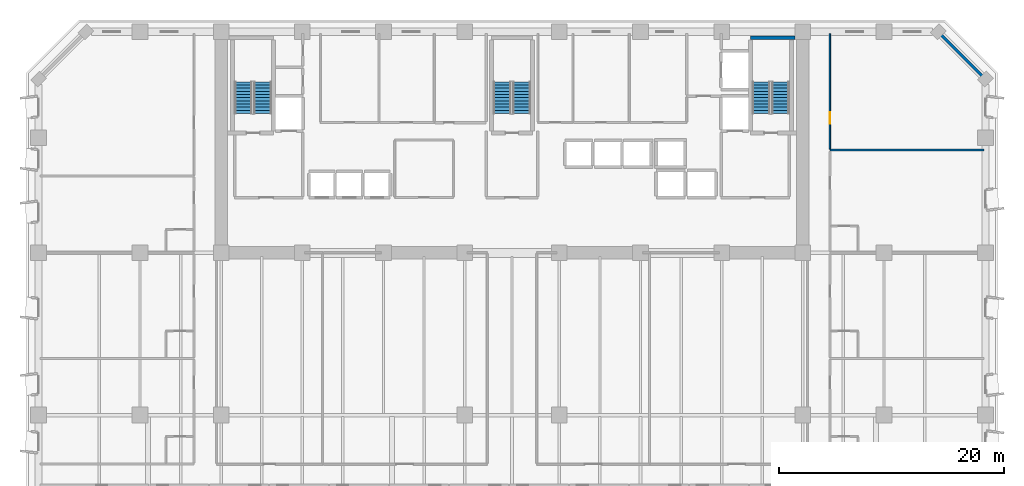
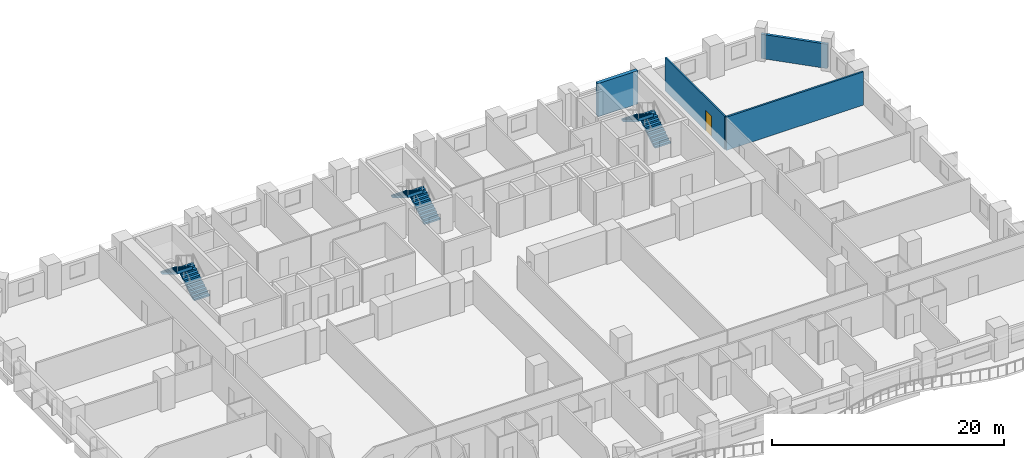
# One storey, part 12 of 16: 6 stair flights, 4 walls, 1 door, 1 opening, 3 elements without a shape of their own.
"""IFC4 building model written with IfcOpenShell, lengths in metres."""

import ifcopenshell
import ifcopenshell.guid

model = None  # the IFC model being written
_history = None  # IfcOwnerHistory: only IFC2X3 demands one
_inside = {}  # id of a spatial element -> (the spatial element, [elements in it])
_under = {}  # id of a project, library or spatial element -> (it, [spatial elements below it])
_declared = {}  # id of a project -> (the project, [libraries it declares])
_typed = {}  # id of a type object -> (the type object, [elements of that type])
_made_of = {}  # id of a material, layer set ... -> (it, [elements and type objects made of it])


def new_model(schema):
    """Start an empty IFC model of exactly this schema.

    Asked for "IFC4X3", IfcOpenShell would pick the latest addendum, in which some entities
    have other attributes; the version numbers below select the first issue.
    IFC2X3 requires an IfcOwnerHistory on every rooted entity: one is made here for all.
    """
    global model, _history
    if schema == "IFC4X3":
        model = ifcopenshell.file(schema_version=(4, 3, 0, 0))
    else:
        model = ifcopenshell.file(schema=schema)
    _inside.clear()
    _under.clear()
    _declared.clear()
    _typed.clear()
    _made_of.clear()
    _history = None
    if model.schema == "IFC2X3":
        org = make("IfcOrganization", Name="unknown")
        user = make(
            "IfcPersonAndOrganization",
            ThePerson=make("IfcPerson", FamilyName="unknown"),
            TheOrganization=org,
        )
        app = make(
            "IfcApplication",
            ApplicationDeveloper=org,
            Version="unknown",
            ApplicationFullName="unknown",
            ApplicationIdentifier="unknown",
        )
        _history = make(
            "IfcOwnerHistory",
            OwningUser=user,
            OwningApplication=app,
            ChangeAction="ADDED",
            CreationDate=0,
        )
    return model


def make(cls, **values):
    """One entity of the class cls with the attributes given. An attribute that is None is left unset."""
    return model.create_entity(
        cls, **{name: value for name, value in values.items() if value is not None}
    )


def rooted(cls, **values):
    """An entity with a GlobalId (a new one), such as an element, a storey or a relation."""
    return make(cls, GlobalId=ifcopenshell.guid.new(), OwnerHistory=_history, **values)


def si_unit(unit_type, name, prefix=None):
    """IfcSIUnit, for example si_unit("LENGTHUNIT", "METRE", prefix="MILLI")."""
    return make("IfcSIUnit", UnitType=unit_type, Prefix=prefix, Name=name)


def assignment(units):
    """IfcUnitAssignment: the units of a project."""
    return None if units is None else make("IfcUnitAssignment", Units=units)


def point(xyz):
    """IfcCartesianPoint."""
    return None if xyz is None else make("IfcCartesianPoint", Coordinates=xyz)


def direction(xyz):
    """IfcDirection."""
    return None if xyz is None else make("IfcDirection", DirectionRatios=xyz)


def frame(location, z_axis=None, x_axis=None):
    """IfcAxis2Placement3D, a coordinate frame: its origin and axes. An axis left out is left unset."""
    return make(
        "IfcAxis2Placement3D",
        Location=point(location),
        Axis=direction(z_axis),
        RefDirection=direction(x_axis),
    )


def frame_2d(location, x_axis=None):
    """IfcAxis2Placement2D, a coordinate frame in the plane: its origin and x axis."""
    return make(
        "IfcAxis2Placement2D", Location=point(location), RefDirection=direction(x_axis)
    )


def origin():
    """The frame at (0, 0, 0) with its axes left unset."""
    return frame((0.0, 0.0, 0.0))


def place(relative_to, where):
    """IfcLocalPlacement: puts the frame where relative to a parent placement (None: the world)."""
    return make(
        "IfcLocalPlacement", PlacementRelTo=relative_to, RelativePlacement=where
    )


def context(
    kind, dimensions, precision=None, world=None, true_north=None, identifier=None
):
    """IfcGeometricRepresentationContext, for example the 3D "Model" context."""
    return make(
        "IfcGeometricRepresentationContext",
        ContextIdentifier=identifier,
        ContextType=kind,
        CoordinateSpaceDimension=dimensions,
        Precision=precision,
        WorldCoordinateSystem=world,
        TrueNorth=true_north,
    )


def subcontext(parent, identifier, kind, view, scale=None):
    """IfcGeometricRepresentationSubContext, for example "Body" below "Model"."""
    return make(
        "IfcGeometricRepresentationSubContext",
        ContextIdentifier=identifier,
        ContextType=kind,
        ParentContext=parent,
        TargetScale=scale,
        TargetView=view,
    )


def project(units=None, contexts=None):
    """IfcProject with its units and contexts."""
    return rooted(
        "IfcProject",
        Name="project",
        RepresentationContexts=contexts,
        UnitsInContext=assignment(units),
    )


def spatial(cls, under=None, at=None, **own):
    """A site, building, storey or space (cls), placed at a placement, below another one or the project."""
    s = rooted(cls, ObjectPlacement=at, **own)
    if under is not None:
        _under.setdefault(under.id(), (under, []))[1].append(s)
    return s


def polyline(points):
    """IfcPolyline through the points."""
    return make("IfcPolyline", Points=[point(p) for p in points])


def profile(cls, at=None, kind="AREA", **sizes):
    """A parametric profile (cls). Its sizes go by their IFC names, for example OverallWidth=200.0."""
    return make(cls, ProfileType=kind, Position=at, **sizes)


def rectangle(**sizes):
    """IfcRectangleProfileDef."""
    return profile("IfcRectangleProfileDef", **sizes)


def outline(outer, holes=None, kind="AREA"):
    """IfcArbitraryClosedProfileDef: a profile drawn as a closed curve; with holes, ...WithVoids."""
    if holes is None:
        return make("IfcArbitraryClosedProfileDef", ProfileType=kind, OuterCurve=outer)
    return make(
        "IfcArbitraryProfileDefWithVoids",
        ProfileType=kind,
        OuterCurve=outer,
        InnerCurves=holes,
    )


def extrude(swept, where, along, depth):
    """IfcExtrudedAreaSolid: the profile swept, set in the frame where, extruded along a direction by depth."""
    return make(
        "IfcExtrudedAreaSolid",
        SweptArea=swept,
        Position=where,
        ExtrudedDirection=direction(along),
        Depth=depth,
    )


def shape(context_of_items, identifier, shape_type, items):
    """IfcShapeRepresentation: the items that make up one representation, for example the "Body"."""
    return make(
        "IfcShapeRepresentation",
        ContextOfItems=context_of_items,
        RepresentationIdentifier=identifier,
        RepresentationType=shape_type,
        Items=items,
    )


def material(Name=None, Category=None):
    """IfcMaterial."""
    return make("IfcMaterial", Name=Name, Category=Category)


def layer(
    of_material, thickness, ventilated=None, Name=None, Category=None, Priority=None
):
    """IfcMaterialLayer: one layer of a wall or slab, of a material (None: an air gap)."""
    return make(
        "IfcMaterialLayer",
        Material=of_material,
        LayerThickness=thickness,
        IsVentilated=ventilated,
        Name=Name,
        Category=Category,
        Priority=Priority,
    )


def layer_set(layers, Name=None):
    """IfcMaterialLayerSet."""
    return make("IfcMaterialLayerSet", MaterialLayers=layers, LayerSetName=Name)


def made_of(thing, what):
    """Note that an element or type object is made of a material, layer set ...; save() writes the relation."""
    if what is not None:
        _made_of.setdefault(what.id(), (what, []))[1].append(thing)
    return thing


def type_object(cls, material=None, **own):
    """A type object (cls), such as IfcWallType, which elements share."""
    return made_of(rooted(cls, **own), material)


def element(
    cls,
    number,
    at=None,
    inside=None,
    cuts=None,
    type_object=None,
    material=None,
    context=None,
    identifier="Body",
    shape_type=None,
    held_by="IfcProductDefinitionShape",
    body=None,
    shapes=None,
    **own,
):
    """One element of the class cls, such as IfcWall. Its Tag is "e" and its number.

    at: its placement. inside: the storey or other place that contains it. cuts: it is an
    opening in that element (IfcRelVoidsElement). A single representation is given by context,
    identifier, shape_type and body (its items); several are given by shapes. held_by: the class
    of the entity that holds the representations. save() writes the other relations.
    """
    e = rooted(cls, Tag="e%d" % number, ObjectPlacement=at, **own)
    if body is not None:
        shapes = [shape(context, identifier, shape_type, body)]
    if shapes is not None:
        e.Representation = make(held_by, Representations=shapes)
    if inside is not None:
        _inside.setdefault(inside.id(), (inside, []))[1].append(e)
    if cuts is not None:
        rooted(
            "IfcRelVoidsElement", RelatingBuildingElement=cuts, RelatedOpeningElement=e
        )
    if type_object is not None:
        _typed.setdefault(type_object.id(), (type_object, []))[1].append(e)
    return made_of(e, material)


def fill(opening, filler):
    """IfcRelFillsElement: the door or window that sits in an opening."""
    return rooted(
        "IfcRelFillsElement",
        RelatingOpeningElement=opening,
        RelatedBuildingElement=filler,
    )


def aggregate(whole, parts):
    """IfcRelAggregates: a whole, such as a stair, and the parts it consists of."""
    return rooted("IfcRelAggregates", RelatingObject=whole, RelatedObjects=parts)


def save(model, path):
    """Write the relations noted so far, then the file.

    IfcRelAggregates (storeys below a building ...), IfcRelContainedInSpatialStructure (elements
    in a storey), IfcRelDefinesByType, IfcRelAssociatesMaterial and IfcRelDeclares: one each for
    every whole, place, type object, material and project.
    """
    for whole, parts in _under.values():
        aggregate(whole, parts)
    for where, things in _inside.values():
        rooted(
            "IfcRelContainedInSpatialStructure",
            RelatedElements=things,
            RelatingStructure=where,
        )
    for kind, things in _typed.values():
        rooted("IfcRelDefinesByType", RelatedObjects=things, RelatingType=kind)
    for what, things in _made_of.values():
        rooted("IfcRelAssociatesMaterial", RelatedObjects=things, RelatingMaterial=what)
    for by, libraries in _declared.values():
        rooted("IfcRelDeclares", RelatingContext=by, RelatedDefinitions=libraries)
    model.write(path)


model = new_model("IFC4")

# Units and contexts
model_context = context("Model", 3, precision=1e-05, world=origin(), true_north=direction((0.0, 1.0)))
body_context = subcontext(model_context, "Body", "Model", "MODEL_VIEW")
ifc_project = project(units=[si_unit("LENGTHUNIT", "METRE"), si_unit("AREAUNIT", "SQUARE_METRE"), si_unit("VOLUMEUNIT", "CUBIC_METRE"), si_unit("PLANEANGLEUNIT", "RADIAN"), si_unit("MASSUNIT", "GRAM", prefix="KILO")], contexts=[model_context])

# Site, building, storey
site_placement = place(None, origin())
site = spatial("IfcSite", under=ifc_project, at=site_placement, CompositionType="ELEMENT")
building_placement = place(site_placement, origin())
building = spatial("IfcBuilding", under=site, at=building_placement, Name="Kaelvorn Grand Hotel", CompositionType="ELEMENT")
storey_placement = place(building_placement, frame((0.0, 0.0, 35.14990234375)))
storey = spatial("IfcBuildingStorey", under=building, at=storey_placement, Name="L06", CompositionType="ELEMENT", Elevation=35.14990234375)

# Wall
ifc_material_1 = material(Name="Concrete C40/50", Category="concrete")
ifc_layer_1 = layer(ifc_material_1, 0.260009765625)
ifc_layer_set_1 = layer_set([ifc_layer_1], Name="Concrete C40/50")
wall_type_1 = type_object("IfcWallType", Name="WL-EXT-260-C40", PredefinedType="SOLIDWALL", material=ifc_layer_set_1)
wall_1_placement = place(storey_placement, frame((84.0, 44.800048828125, 0.0), z_axis=(0.0, 0.0, 1.0), x_axis=(-0.707106781187, 0.707106781187, 0.0)))
element("IfcWall", 1, at=wall_1_placement, inside=storey, type_object=wall_type_1, Name="L06 Exterior Architectural Concrete Wall 04", PredefinedType="SOLIDWALL", context=body_context, shape_type="SweptSolid", body=[
    extrude(rectangle(XDim=5.939697265625, YDim=0.260009765625, at=frame_2d((2.9697265625, 0.0))), origin(), (0.0, 0.0, 1.0), 2.56005859375),
])

# Wall, opening, door
ifc_material_2 = material(Name="Acoustic Gypsum & Stud Partition")
ifc_layer_2 = layer(ifc_material_2, 0.14990234375)
ifc_layer_set_2 = layer_set([ifc_layer_2], Name="Acoustic Gypsum & Stud Partition")
wall_type_2 = type_object("IfcWallType", Name="WL-PART-150-EI60", PredefinedType="PARTITIONING", material=ifc_layer_set_2)
wall_2_placement = place(storey_placement, frame((70.199951171875, 38.594970703125, 0.0), z_axis=(0.0, 0.0, 1.0), x_axis=(0.0, 1.0, 0.0)))
wall_2 = element("IfcWall", 2, at=wall_2_placement, inside=storey, type_object=wall_type_2, Name="L06 North-East Suite Living Room W Partition", PredefinedType="PARTITIONING", context=body_context, shape_type="SweptSolid", body=[
    extrude(rectangle(XDim=10.255126953125, YDim=0.14990234375, at=frame_2d((5.12744140625, 0.0))), origin(), (0.0, 0.0, 1.0), 3.510009765625),
])
opening_placement = place(wall_2_placement, frame((2.2548828125, 0.0, 0.0)))
opening = element("IfcOpeningElement", 3, at=opening_placement, cuts=wall_2, Name="Opening DI3", PredefinedType="OPENING", context=body_context, shape_type="SweptSolid", body=[
    extrude(rectangle(XDim=1.0, YDim=2.14990234375, at=frame_2d((0.5, 1.074951171875))), frame((0.0, 0.0849609375, 0.0), z_axis=(0.0, -1.0, 0.0), x_axis=(1.0, 0.0, 0.0)), (0.0, 0.0, 1.0), 0.169921875),
])
ifc_material_3 = material(Name="Timber Veneer Fire Leaf", Category="wood")
door_type = type_object("IfcDoorType", Name="DR-INT-GUEST-1000x2150", OperationType="NOTDEFINED", PredefinedType="DOOR", material=ifc_material_3)
door_placement = place(opening_placement, origin())
door = element("IfcDoor", 4, at=door_placement, inside=storey, type_object=door_type, Name="L06 North-East Suite Living Room Door", OperationType="SINGLE_SWING_RIGHT", OverallHeight=2.14990234375, OverallWidth=1.0, PredefinedType="DOOR", context=body_context, shape_type="SweptSolid", body=[
    extrude(rectangle(XDim=1.0, YDim=2.14990234375, at=frame_2d((0.5, 1.074951171875))), frame((0.0, 0.02490234375, 0.0), z_axis=(0.0, -1.0, 0.0), x_axis=(1.0, 0.0, 0.0)), (0.0, 0.0, 1.0), 0.050048828125),
])
fill(opening, door)

# Walls
ifc_layer_3 = layer(ifc_material_2, 0.179931640625)
ifc_layer_set_3 = layer_set([ifc_layer_3], Name="Acoustic Gypsum & Stud Partition")
wall_type_3 = type_object("IfcWallType", Name="WL-PART-180-EI60", PredefinedType="PARTITIONING", material=ifc_layer_set_3)
wall_3_placement = place(storey_placement, frame((70.199951171875, 38.5, 0.0), z_axis=(0.0, 0.0, 1.0), x_axis=(1.0, 0.0, 0.0)))
element("IfcWall", 5, at=wall_3_placement, inside=storey, type_object=wall_type_3, Name="L06 North-East Wing Suite L06-19 N Partition", PredefinedType="PARTITIONING", context=body_context, shape_type="SweptSolid", body=[
    extrude(rectangle(XDim=13.650146484375, YDim=0.179931640625, at=frame_2d((6.8251953125, 0.0))), origin(), (0.0, 0.0, 1.0), 3.510009765625),
])
ifc_material_4 = material(Name="Concrete C60/75", Category="concrete")
ifc_layer_4 = layer(ifc_material_4, 0.35009765625)
ifc_layer_set_4 = layer_set([ifc_layer_4], Name="Concrete C60/75")
wall_type_4 = type_object("IfcWallType", Name="WL-SHAFT-350-C60", PredefinedType="SHEAR", material=ifc_layer_set_4)
wall_4_placement = place(storey_placement, frame((63.14501953125, 48.47509765625, 0.0), z_axis=(0.0, 0.0, 1.0), x_axis=(1.0, 0.0, 0.0)))
element("IfcWall", 6, at=wall_4_placement, inside=storey, type_object=wall_type_4, Name="L06 ST3 Stair Shaft North Wall", PredefinedType="SHEAR", context=body_context, shape_type="SweptSolid", body=[
    extrude(rectangle(XDim=3.949951171875, YDim=0.35009765625, at=frame_2d((1.97509765625, 0.0))), origin(), (0.0, 0.0, 1.0), 3.510009765625),
])

# Stair, stair flights
stair_type = type_object("IfcStairType", Name="STR-DOG-1560-R06", PredefinedType="HALF_TURN_STAIR", material=ifc_material_1)
stair_1_placement = place(storey_placement, origin())
stair_1 = element("IfcStair", 7, at=stair_1_placement, inside=storey, type_object=stair_type, Name="L06 West Core Exit Stair ST1", PredefinedType="HALF_TURN_STAIR")
stair_flight_type = type_object("IfcStairFlightType", Name="FLG-DOG-1560-R06", PredefinedType="STRAIGHT", material=ifc_material_1)
stair_flight_1_placement = place(storey_placement, frame((19.89990234375, 41.760009765625, 0.0), z_axis=(0.0, 0.0, 1.0), x_axis=(0.0, 1.0, 0.0)))
stair_flight_1 = element("IfcStairFlight", 8, at=stair_flight_1_placement, type_object=stair_flight_type, Name="ST1 flight 1", NumberOfRisers=11, NumberOfTreads=10, PredefinedType="STRAIGHT", RiserHeight=0.170454545, TreadLength=0.28, context=body_context, shape_type="SweptSolid", body=[
    extrude(outline(polyline([(-0.0048828125, 0.0), (-0.0048828125, 0.0400390625), (0.0, 0.17041015625), (0.280029296875, 0.17041015625), (0.280029296875, 0.3408203125), (0.56005859375, 0.3408203125), (0.56005859375, 0.511474609375), (0.840087890625, 0.511474609375), (0.840087890625, 0.681884765625), (1.1201171875, 0.681884765625), (1.1201171875, 0.852294921875), (1.39990234375, 0.852294921875), (1.39990234375, 1.022705078125), (1.679931640625, 1.022705078125), (1.679931640625, 1.193115234375), (1.9599609375, 1.193115234375), (1.9599609375, 1.363525390625), (2.239990234375, 1.363525390625), (2.239990234375, 1.5341796875), (2.52001953125, 1.5341796875), (2.52001953125, 1.70458984375), (2.800048828125, 1.70458984375), (2.800048828125, 1.875), (2.804931640625, 1.875), (2.804931640625, 1.529052734375), (0.288330078125, 0.0), (-0.0048828125, 0.0)])), frame((0.0, 0.780029296875, 0.0), z_axis=(0.0, -1.0, 0.0), x_axis=(1.0, 0.0, 0.0)), (0.0, 0.0, 1.0), 1.56005859375),
])
stair_flight_2_placement = place(storey_placement, frame((18.179931640625, 44.56005859375, 1.875), z_axis=(0.0, 0.0, 1.0), x_axis=(0.0, -1.0, 0.0)))
stair_flight_2 = element("IfcStairFlight", 9, at=stair_flight_2_placement, type_object=stair_flight_type, Name="ST1 flight 2", NumberOfRisers=11, NumberOfTreads=10, PredefinedType="STRAIGHT", RiserHeight=0.170454545, TreadLength=0.28, context=body_context, shape_type="SweptSolid", body=[
    extrude(outline(polyline([(-0.0048828125, 0.0), (-0.0048828125, 0.0400390625), (0.0, 0.17041015625), (0.280029296875, 0.17041015625), (0.280029296875, 0.3408203125), (0.56005859375, 0.3408203125), (0.56005859375, 0.511474609375), (0.840087890625, 0.511474609375), (0.840087890625, 0.681884765625), (1.1201171875, 0.681884765625), (1.1201171875, 0.852294921875), (1.39990234375, 0.852294921875), (1.39990234375, 1.022705078125), (1.679931640625, 1.022705078125), (1.679931640625, 1.193115234375), (1.9599609375, 1.193115234375), (1.9599609375, 1.363525390625), (2.239990234375, 1.363525390625), (2.239990234375, 1.5341796875), (2.52001953125, 1.5341796875), (2.52001953125, 1.70458984375), (2.800048828125, 1.70458984375), (2.800048828125, 1.875), (2.804931640625, 1.875), (2.804931640625, 1.529052734375), (0.288330078125, 0.0), (-0.0048828125, 0.0)])), frame((0.0, 0.780029296875, 0.0), z_axis=(0.0, -1.0, 0.0), x_axis=(1.0, 0.0, 0.0)), (0.0, 0.0, 1.0), 1.56005859375),
])
aggregate(stair_1, [stair_flight_1, stair_flight_2])

stair_2_placement = place(storey_placement, origin())
stair_2 = element("IfcStair", 10, at=stair_2_placement, inside=storey, type_object=stair_type, Name="L06 Central Core Exit Stair ST2", PredefinedType="HALF_TURN_STAIR")
stair_flight_3_placement = place(storey_placement, frame((42.860107421875, 41.760009765625, 0.0), z_axis=(0.0, 0.0, 1.0), x_axis=(0.0, 1.0, 0.0)))
stair_flight_3 = element("IfcStairFlight", 11, at=stair_flight_3_placement, type_object=stair_flight_type, Name="ST2 flight 1", NumberOfRisers=11, NumberOfTreads=10, PredefinedType="STRAIGHT", RiserHeight=0.170454545, TreadLength=0.28, context=body_context, shape_type="SweptSolid", body=[
    extrude(outline(polyline([(-0.0048828125, 0.0), (-0.0048828125, 0.0400390625), (0.0, 0.17041015625), (0.280029296875, 0.17041015625), (0.280029296875, 0.3408203125), (0.56005859375, 0.3408203125), (0.56005859375, 0.511474609375), (0.840087890625, 0.511474609375), (0.840087890625, 0.681884765625), (1.1201171875, 0.681884765625), (1.1201171875, 0.852294921875), (1.39990234375, 0.852294921875), (1.39990234375, 1.022705078125), (1.679931640625, 1.022705078125), (1.679931640625, 1.193115234375), (1.9599609375, 1.193115234375), (1.9599609375, 1.363525390625), (2.239990234375, 1.363525390625), (2.239990234375, 1.5341796875), (2.52001953125, 1.5341796875), (2.52001953125, 1.70458984375), (2.800048828125, 1.70458984375), (2.800048828125, 1.875), (2.804931640625, 1.875), (2.804931640625, 1.529052734375), (0.288330078125, 0.0), (-0.0048828125, 0.0)])), frame((0.0, 0.780029296875, 0.0), z_axis=(0.0, -1.0, 0.0), x_axis=(1.0, 0.0, 0.0)), (0.0, 0.0, 1.0), 1.56005859375),
])
stair_flight_4_placement = place(storey_placement, frame((41.139892578125, 44.56005859375, 1.875), z_axis=(0.0, 0.0, 1.0), x_axis=(0.0, -1.0, 0.0)))
stair_flight_4 = element("IfcStairFlight", 12, at=stair_flight_4_placement, type_object=stair_flight_type, Name="ST2 flight 2", NumberOfRisers=11, NumberOfTreads=10, PredefinedType="STRAIGHT", RiserHeight=0.170454545, TreadLength=0.28, context=body_context, shape_type="SweptSolid", body=[
    extrude(outline(polyline([(-0.0048828125, 0.0), (-0.0048828125, 0.0400390625), (0.0, 0.17041015625), (0.280029296875, 0.17041015625), (0.280029296875, 0.3408203125), (0.56005859375, 0.3408203125), (0.56005859375, 0.511474609375), (0.840087890625, 0.511474609375), (0.840087890625, 0.681884765625), (1.1201171875, 0.681884765625), (1.1201171875, 0.852294921875), (1.39990234375, 0.852294921875), (1.39990234375, 1.022705078125), (1.679931640625, 1.022705078125), (1.679931640625, 1.193115234375), (1.9599609375, 1.193115234375), (1.9599609375, 1.363525390625), (2.239990234375, 1.363525390625), (2.239990234375, 1.5341796875), (2.52001953125, 1.5341796875), (2.52001953125, 1.70458984375), (2.800048828125, 1.70458984375), (2.800048828125, 1.875), (2.804931640625, 1.875), (2.804931640625, 1.529052734375), (0.288330078125, 0.0), (-0.0048828125, 0.0)])), frame((0.0, 0.780029296875, 0.0), z_axis=(0.0, -1.0, 0.0), x_axis=(1.0, 0.0, 0.0)), (0.0, 0.0, 1.0), 1.56005859375),
])
aggregate(stair_2, [stair_flight_3, stair_flight_4])

stair_3_placement = place(storey_placement, origin())
stair_3 = element("IfcStair", 13, at=stair_3_placement, inside=storey, type_object=stair_type, Name="L06 East Core Exit Stair ST3", PredefinedType="HALF_TURN_STAIR")
stair_flight_5_placement = place(storey_placement, frame((65.820068359375, 41.760009765625, 0.0), z_axis=(0.0, 0.0, 1.0), x_axis=(0.0, 1.0, 0.0)))
stair_flight_5 = element("IfcStairFlight", 14, at=stair_flight_5_placement, type_object=stair_flight_type, Name="ST3 flight 1", NumberOfRisers=11, NumberOfTreads=10, PredefinedType="STRAIGHT", RiserHeight=0.170454545, TreadLength=0.28, context=body_context, shape_type="SweptSolid", body=[
    extrude(outline(polyline([(-0.0048828125, 0.0), (-0.0048828125, 0.0400390625), (0.0, 0.17041015625), (0.280029296875, 0.17041015625), (0.280029296875, 0.3408203125), (0.56005859375, 0.3408203125), (0.56005859375, 0.511474609375), (0.840087890625, 0.511474609375), (0.840087890625, 0.681884765625), (1.1201171875, 0.681884765625), (1.1201171875, 0.852294921875), (1.39990234375, 0.852294921875), (1.39990234375, 1.022705078125), (1.679931640625, 1.022705078125), (1.679931640625, 1.193115234375), (1.9599609375, 1.193115234375), (1.9599609375, 1.363525390625), (2.239990234375, 1.363525390625), (2.239990234375, 1.5341796875), (2.52001953125, 1.5341796875), (2.52001953125, 1.70458984375), (2.800048828125, 1.70458984375), (2.800048828125, 1.875), (2.804931640625, 1.875), (2.804931640625, 1.529052734375), (0.288330078125, 0.0), (-0.0048828125, 0.0)])), frame((0.0, 0.780029296875, 0.0), z_axis=(0.0, -1.0, 0.0), x_axis=(1.0, 0.0, 0.0)), (0.0, 0.0, 1.0), 1.56005859375),
])
stair_flight_6_placement = place(storey_placement, frame((64.10009765625, 44.56005859375, 1.875), z_axis=(0.0, 0.0, 1.0), x_axis=(0.0, -1.0, 0.0)))
stair_flight_6 = element("IfcStairFlight", 15, at=stair_flight_6_placement, type_object=stair_flight_type, Name="ST3 flight 2", NumberOfRisers=11, NumberOfTreads=10, PredefinedType="STRAIGHT", RiserHeight=0.170454545, TreadLength=0.28, context=body_context, shape_type="SweptSolid", body=[
    extrude(outline(polyline([(-0.0048828125, 0.0), (-0.0048828125, 0.0400390625), (0.0, 0.17041015625), (0.280029296875, 0.17041015625), (0.280029296875, 0.3408203125), (0.56005859375, 0.3408203125), (0.56005859375, 0.511474609375), (0.840087890625, 0.511474609375), (0.840087890625, 0.681884765625), (1.1201171875, 0.681884765625), (1.1201171875, 0.852294921875), (1.39990234375, 0.852294921875), (1.39990234375, 1.022705078125), (1.679931640625, 1.022705078125), (1.679931640625, 1.193115234375), (1.9599609375, 1.193115234375), (1.9599609375, 1.363525390625), (2.239990234375, 1.363525390625), (2.239990234375, 1.5341796875), (2.52001953125, 1.5341796875), (2.52001953125, 1.70458984375), (2.800048828125, 1.70458984375), (2.800048828125, 1.875), (2.804931640625, 1.875), (2.804931640625, 1.529052734375), (0.288330078125, 0.0), (-0.0048828125, 0.0)])), frame((0.0, 0.780029296875, 0.0), z_axis=(0.0, -1.0, 0.0), x_axis=(1.0, 0.0, 0.0)), (0.0, 0.0, 1.0), 1.56005859375),
])
aggregate(stair_3, [stair_flight_5, stair_flight_6])

save(model, "model.ifc")
